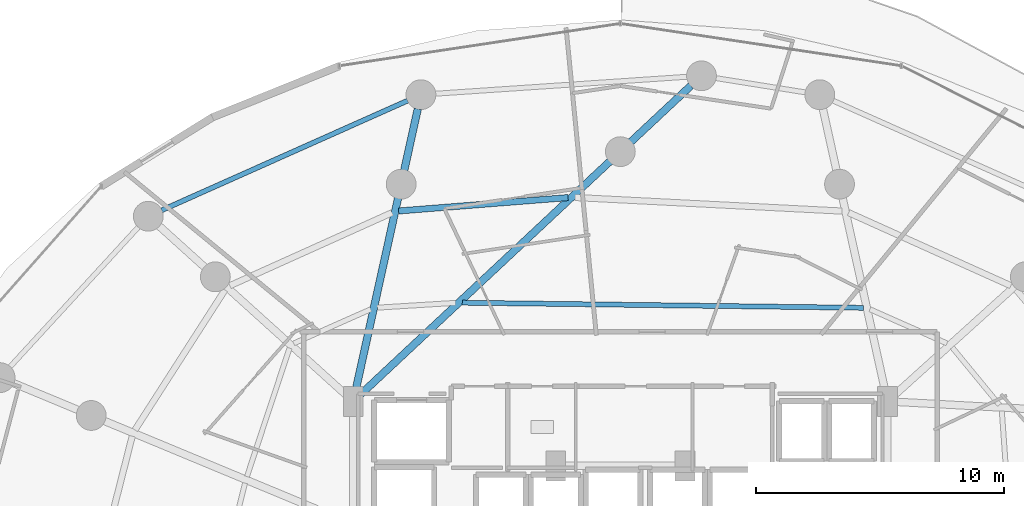
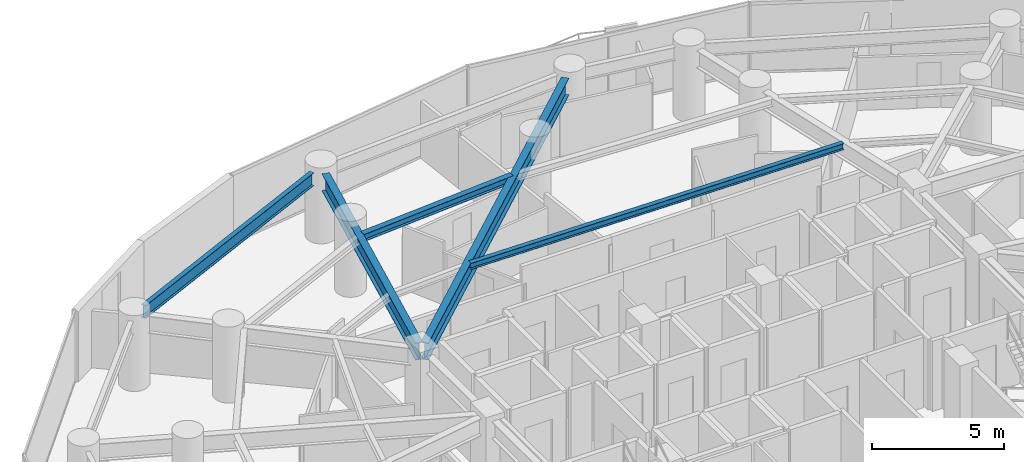
# One storey, part 20 of 33: 5 beams.
"""IFC4 building model written with IfcOpenShell, lengths in metres."""

import ifcopenshell
import ifcopenshell.guid

model = None  # the IFC model being written
_history = None  # IfcOwnerHistory: only IFC2X3 demands one
_inside = {}  # id of a spatial element -> (the spatial element, [elements in it])
_under = {}  # id of a project, library or spatial element -> (it, [spatial elements below it])
_declared = {}  # id of a project -> (the project, [libraries it declares])
_typed = {}  # id of a type object -> (the type object, [elements of that type])
_made_of = {}  # id of a material, layer set ... -> (it, [elements and type objects made of it])


def new_model(schema):
    """Start an empty IFC model of exactly this schema.

    Asked for "IFC4X3", IfcOpenShell would pick the latest addendum, in which some entities
    have other attributes; the version numbers below select the first issue.
    IFC2X3 requires an IfcOwnerHistory on every rooted entity: one is made here for all.
    """
    global model, _history
    if schema == "IFC4X3":
        model = ifcopenshell.file(schema_version=(4, 3, 0, 0))
    else:
        model = ifcopenshell.file(schema=schema)
    _inside.clear()
    _under.clear()
    _declared.clear()
    _typed.clear()
    _made_of.clear()
    _history = None
    if model.schema == "IFC2X3":
        org = make("IfcOrganization", Name="unknown")
        user = make(
            "IfcPersonAndOrganization",
            ThePerson=make("IfcPerson", FamilyName="unknown"),
            TheOrganization=org,
        )
        app = make(
            "IfcApplication",
            ApplicationDeveloper=org,
            Version="unknown",
            ApplicationFullName="unknown",
            ApplicationIdentifier="unknown",
        )
        _history = make(
            "IfcOwnerHistory",
            OwningUser=user,
            OwningApplication=app,
            ChangeAction="ADDED",
            CreationDate=0,
        )
    return model


def make(cls, **values):
    """One entity of the class cls with the attributes given. An attribute that is None is left unset."""
    return model.create_entity(
        cls, **{name: value for name, value in values.items() if value is not None}
    )


def rooted(cls, **values):
    """An entity with a GlobalId (a new one), such as an element, a storey or a relation."""
    return make(cls, GlobalId=ifcopenshell.guid.new(), OwnerHistory=_history, **values)


def si_unit(unit_type, name, prefix=None):
    """IfcSIUnit, for example si_unit("LENGTHUNIT", "METRE", prefix="MILLI")."""
    return make("IfcSIUnit", UnitType=unit_type, Prefix=prefix, Name=name)


def assignment(units):
    """IfcUnitAssignment: the units of a project."""
    return None if units is None else make("IfcUnitAssignment", Units=units)


def point(xyz):
    """IfcCartesianPoint."""
    return None if xyz is None else make("IfcCartesianPoint", Coordinates=xyz)


def direction(xyz):
    """IfcDirection."""
    return None if xyz is None else make("IfcDirection", DirectionRatios=xyz)


def frame(location, z_axis=None, x_axis=None):
    """IfcAxis2Placement3D, a coordinate frame: its origin and axes. An axis left out is left unset."""
    return make(
        "IfcAxis2Placement3D",
        Location=point(location),
        Axis=direction(z_axis),
        RefDirection=direction(x_axis),
    )


def frame_2d(location, x_axis=None):
    """IfcAxis2Placement2D, a coordinate frame in the plane: its origin and x axis."""
    return make(
        "IfcAxis2Placement2D", Location=point(location), RefDirection=direction(x_axis)
    )


def origin():
    """The frame at (0, 0, 0) with its axes left unset."""
    return frame((0.0, 0.0, 0.0))


def origin_2d():
    """The frame at (0, 0) in the plane with its x axis left unset."""
    return frame_2d((0.0, 0.0))


def place(relative_to, where):
    """IfcLocalPlacement: puts the frame where relative to a parent placement (None: the world)."""
    return make(
        "IfcLocalPlacement", PlacementRelTo=relative_to, RelativePlacement=where
    )


def context(
    kind, dimensions, precision=None, world=None, true_north=None, identifier=None
):
    """IfcGeometricRepresentationContext, for example the 3D "Model" context."""
    return make(
        "IfcGeometricRepresentationContext",
        ContextIdentifier=identifier,
        ContextType=kind,
        CoordinateSpaceDimension=dimensions,
        Precision=precision,
        WorldCoordinateSystem=world,
        TrueNorth=true_north,
    )


def subcontext(parent, identifier, kind, view, scale=None):
    """IfcGeometricRepresentationSubContext, for example "Body" below "Model"."""
    return make(
        "IfcGeometricRepresentationSubContext",
        ContextIdentifier=identifier,
        ContextType=kind,
        ParentContext=parent,
        TargetScale=scale,
        TargetView=view,
    )


def project(units=None, contexts=None):
    """IfcProject with its units and contexts."""
    return rooted(
        "IfcProject",
        Name="project",
        RepresentationContexts=contexts,
        UnitsInContext=assignment(units),
    )


def spatial(cls, under=None, at=None, **own):
    """A site, building, storey or space (cls), placed at a placement, below another one or the project."""
    s = rooted(cls, ObjectPlacement=at, **own)
    if under is not None:
        _under.setdefault(under.id(), (under, []))[1].append(s)
    return s


def profile(cls, at=None, kind="AREA", **sizes):
    """A parametric profile (cls). Its sizes go by their IFC names, for example OverallWidth=200.0."""
    return make(cls, ProfileType=kind, Position=at, **sizes)


def i_section(**sizes):
    """IfcIShapeProfileDef."""
    return profile("IfcIShapeProfileDef", **sizes)


def extrude(swept, where, along, depth):
    """IfcExtrudedAreaSolid: the profile swept, set in the frame where, extruded along a direction by depth."""
    return make(
        "IfcExtrudedAreaSolid",
        SweptArea=swept,
        Position=where,
        ExtrudedDirection=direction(along),
        Depth=depth,
    )


def shape(context_of_items, identifier, shape_type, items):
    """IfcShapeRepresentation: the items that make up one representation, for example the "Body"."""
    return make(
        "IfcShapeRepresentation",
        ContextOfItems=context_of_items,
        RepresentationIdentifier=identifier,
        RepresentationType=shape_type,
        Items=items,
    )


def material(Name=None, Category=None):
    """IfcMaterial."""
    return make("IfcMaterial", Name=Name, Category=Category)


def material_profile(
    of_material, cross_section, Name=None, Category=None, Priority=None
):
    """IfcMaterialProfile: a cross section and its material."""
    return make(
        "IfcMaterialProfile",
        Name=Name,
        Material=of_material,
        Profile=cross_section,
        Priority=Priority,
        Category=Category,
    )


def profile_set(profiles, Name=None, composite=None):
    """IfcMaterialProfileSet."""
    return make(
        "IfcMaterialProfileSet",
        Name=Name,
        MaterialProfiles=profiles,
        CompositeProfile=composite,
    )


def made_of(thing, what):
    """Note that an element or type object is made of a material, layer set ...; save() writes the relation."""
    if what is not None:
        _made_of.setdefault(what.id(), (what, []))[1].append(thing)
    return thing


def type_object(cls, material=None, **own):
    """A type object (cls), such as IfcWallType, which elements share."""
    return made_of(rooted(cls, **own), material)


def element(
    cls,
    number,
    at=None,
    inside=None,
    cuts=None,
    type_object=None,
    material=None,
    context=None,
    identifier="Body",
    shape_type=None,
    held_by="IfcProductDefinitionShape",
    body=None,
    shapes=None,
    **own,
):
    """One element of the class cls, such as IfcWall. Its Tag is "e" and its number.

    at: its placement. inside: the storey or other place that contains it. cuts: it is an
    opening in that element (IfcRelVoidsElement). A single representation is given by context,
    identifier, shape_type and body (its items); several are given by shapes. held_by: the class
    of the entity that holds the representations. save() writes the other relations.
    """
    e = rooted(cls, Tag="e%d" % number, ObjectPlacement=at, **own)
    if body is not None:
        shapes = [shape(context, identifier, shape_type, body)]
    if shapes is not None:
        e.Representation = make(held_by, Representations=shapes)
    if inside is not None:
        _inside.setdefault(inside.id(), (inside, []))[1].append(e)
    if cuts is not None:
        rooted(
            "IfcRelVoidsElement", RelatingBuildingElement=cuts, RelatedOpeningElement=e
        )
    if type_object is not None:
        _typed.setdefault(type_object.id(), (type_object, []))[1].append(e)
    return made_of(e, material)


def aggregate(whole, parts):
    """IfcRelAggregates: a whole, such as a stair, and the parts it consists of."""
    return rooted("IfcRelAggregates", RelatingObject=whole, RelatedObjects=parts)


def save(model, path):
    """Write the relations noted so far, then the file.

    IfcRelAggregates (storeys below a building ...), IfcRelContainedInSpatialStructure (elements
    in a storey), IfcRelDefinesByType, IfcRelAssociatesMaterial and IfcRelDeclares: one each for
    every whole, place, type object, material and project.
    """
    for whole, parts in _under.values():
        aggregate(whole, parts)
    for where, things in _inside.values():
        rooted(
            "IfcRelContainedInSpatialStructure",
            RelatedElements=things,
            RelatingStructure=where,
        )
    for kind, things in _typed.values():
        rooted("IfcRelDefinesByType", RelatedObjects=things, RelatingType=kind)
    for what, things in _made_of.values():
        rooted("IfcRelAssociatesMaterial", RelatedObjects=things, RelatingMaterial=what)
    for by, libraries in _declared.values():
        rooted("IfcRelDeclares", RelatingContext=by, RelatedDefinitions=libraries)
    model.write(path)


model = new_model("IFC4")

# Units and contexts
model_context = context("Model", 3, precision=1e-05, world=origin(), true_north=direction((0.0, 1.0)))
body_context = subcontext(model_context, "Body", "Model", "MODEL_VIEW")
ifc_project = project(units=[si_unit("LENGTHUNIT", "METRE"), si_unit("AREAUNIT", "SQUARE_METRE"), si_unit("VOLUMEUNIT", "CUBIC_METRE"), si_unit("PLANEANGLEUNIT", "RADIAN"), si_unit("MASSUNIT", "GRAM", prefix="KILO")], contexts=[model_context])

# Site, building, storey
site_placement = place(None, origin())
site = spatial("IfcSite", under=ifc_project, at=site_placement, CompositionType="ELEMENT")
building_placement = place(site_placement, origin())
building = spatial("IfcBuilding", under=site, at=building_placement, Name="Vorneva Point Tower", CompositionType="ELEMENT")
storey_placement = place(building_placement, frame((0.0, 0.0, 59.0)))
storey = spatial("IfcBuildingStorey", under=building, at=storey_placement, Name="L15", CompositionType="ELEMENT", Elevation=59.0)

# Beams
ifc_material = material(Name="Steel S355", Category="steel")
ifc_material_profile_1 = material_profile(ifc_material, i_section(OverallWidth=0.300048828125, OverallDepth=0.7880859375, WebThickness=0.014404296875, FlangeThickness=0.02197265625, at=origin_2d()), Name="80Sh1")
ifc_profile_set_1 = profile_set([ifc_material_profile_1], Name="Steel S355")
beam_type_1 = type_object("IfcBeamType", Name="BM-GRD-80Sh1", PredefinedType="USERDEFINED", material=ifc_profile_set_1)
beam_1_placement = place(storey_placement, frame((40.835693359375, 45.850830078125, 2.845947265625), z_axis=(-0.730494745314, -0.682918316542, 0.0), x_axis=(0.682918316542, -0.730494745314, 0.0)))
element("IfcBeam", 1, at=beam_1_placement, inside=storey, type_object=beam_type_1, Name="L15 Radial Primary Girder 05", ObjectType="GIRDER", PredefinedType="USERDEFINED", context=body_context, shape_type="SweptSolid", body=[
    extrude(i_section(OverallWidth=0.300048828125, OverallDepth=0.7880859375, WebThickness=0.014404296875, FlangeThickness=0.02197265625, at=origin_2d()), origin(), (0.0, 0.0, 1.0), 18.258056640625),
])
beam_2_placement = place(storey_placement, frame((29.84716796875, 44.91748046875, 2.845947265625), z_axis=(-0.215521919097, -0.976499002759, 0.0), x_axis=(0.976499002759, -0.215521919097, 0.0)))
element("IfcBeam", 2, at=beam_2_placement, inside=storey, type_object=beam_type_1, Name="L15 Radial Primary Girder 06", ObjectType="GIRDER", PredefinedType="USERDEFINED", context=body_context, shape_type="SweptSolid", body=[
    extrude(i_section(OverallWidth=0.300048828125, OverallDepth=0.7880859375, WebThickness=0.014404296875, FlangeThickness=0.02197265625, at=origin_2d()), origin(), (0.0, 0.0, 1.0), 11.710693359375),
])
ifc_material_profile_2 = material_profile(ifc_material, i_section(OverallWidth=0.199951171875, OverallDepth=0.291015625, WebThickness=0.008056640625, FlangeThickness=0.010986328125, at=origin_2d()), Name="30Sh1")
ifc_profile_set_2 = profile_set([ifc_material_profile_2], Name="Steel S355")
beam_type_2 = type_object("IfcBeamType", Name="BM-SEC-30Sh1", PredefinedType="BEAM", material=ifc_profile_set_2)
beam_3_placement = place(storey_placement, frame((47.781494140625, 36.914306640625, 3.094482421875), z_axis=(-0.999917976389, 0.012807829386, 0.0), x_axis=(-0.012807829386, -0.999917976389, 0.0)))
element("IfcBeam", 3, at=beam_3_placement, inside=storey, type_object=beam_type_2, Name="L15 Secondary Floor Beam 2.04", PredefinedType="BEAM", context=body_context, shape_type="SweptSolid", body=[
    extrude(i_section(OverallWidth=0.199951171875, OverallDepth=0.291015625, WebThickness=0.008056640625, FlangeThickness=0.010986328125, at=origin_2d()), origin(), (0.0, 0.0, 1.0), 16.145263671875),
])
ifc_material_profile_3 = material_profile(ifc_material, i_section(OverallWidth=0.2490234375, OverallDepth=0.333984375, WebThickness=0.008056640625, FlangeThickness=0.010986328125, at=origin_2d()), Name="35Sh1")
ifc_profile_set_3 = profile_set([ifc_material_profile_3], Name="Steel S355")
beam_type_3 = type_object("IfcBeamType", Name="BM-SEC-35Sh1", PredefinedType="BEAM", material=ifc_profile_set_3)
beam_4_placement = place(storey_placement, frame((35.896484375, 41.351318359375, 3.072998046875), z_axis=(-0.996882657094, -0.07889846631, 0.0), x_axis=(0.07889846631, -0.996882657094, 0.0)))
element("IfcBeam", 4, at=beam_4_placement, inside=storey, type_object=beam_type_3, Name="L15 Secondary Floor Beam 1.05", PredefinedType="BEAM", context=body_context, shape_type="SweptSolid", body=[
    extrude(i_section(OverallWidth=0.2490234375, OverallDepth=0.333984375, WebThickness=0.008056640625, FlangeThickness=0.010986328125, at=origin_2d()), origin(), (0.0, 0.0, 1.0), 6.841552734375),
])
ifc_material_profile_4 = material_profile(ifc_material, i_section(OverallWidth=0.198974609375, OverallDepth=0.595947265625, WebThickness=0.010009765625, FlangeThickness=0.014892578125, at=origin_2d()), Name="60B1")
ifc_profile_set_4 = profile_set([ifc_material_profile_4], Name="Steel S355")
beam_type_4 = type_object("IfcBeamType", Name="BM-SPN-60B1", PredefinedType="SPANDREL", material=ifc_profile_set_4)
beam_5_placement = place(storey_placement, frame((29.439453125, 45.25341796875, 2.94189453125), z_axis=(-0.913318750016, -0.407245455309, 0.0), x_axis=(0.407245455309, -0.913318750016, 0.0)))
element("IfcBeam", 5, at=beam_5_placement, inside=storey, type_object=beam_type_4, Name="L15 Perimeter Spandrel Ring Beam 06", PredefinedType="SPANDREL", context=body_context, shape_type="SweptSolid", body=[
    extrude(i_section(OverallWidth=0.198974609375, OverallDepth=0.595947265625, WebThickness=0.010009765625, FlangeThickness=0.014892578125, at=origin_2d()), origin(), (0.0, 0.0, 1.0), 10.842529296875),
])

save(model, "model.ifc")
